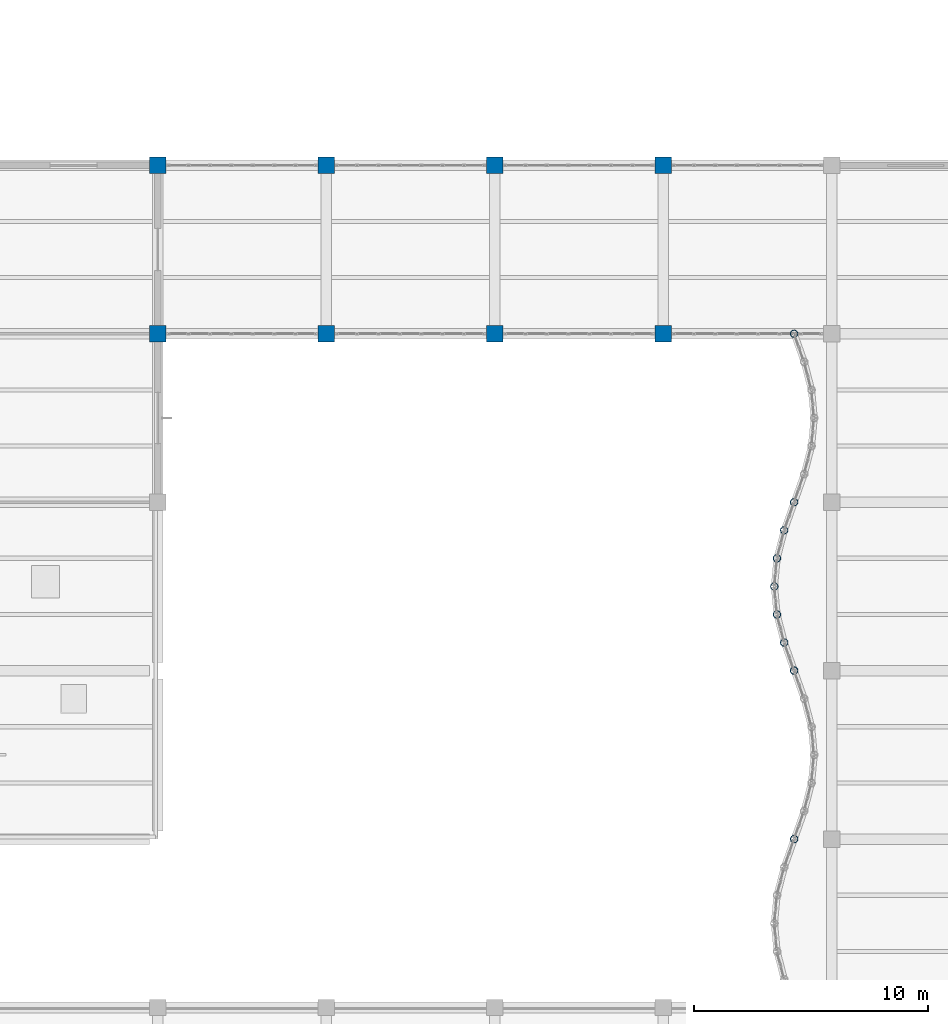
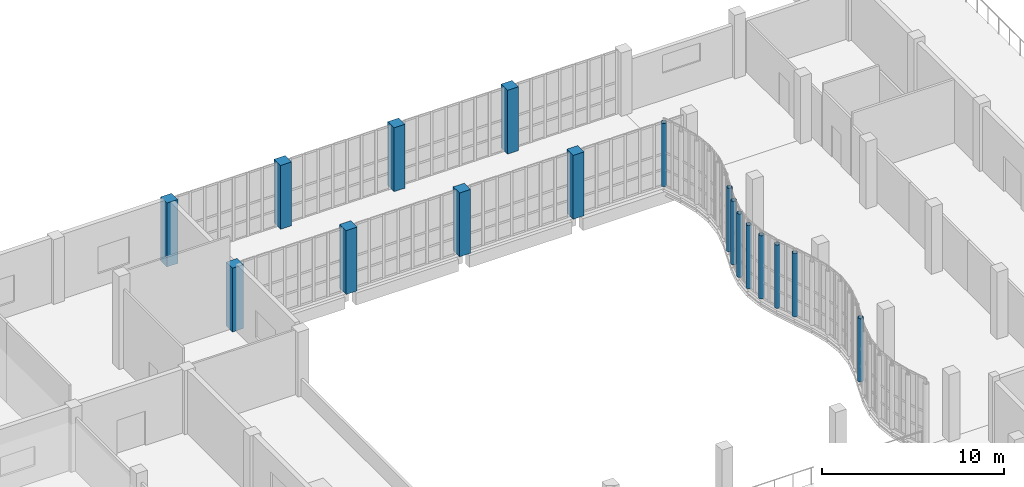
# One storey, part 4 of 108: 17 columns.
"""IFC4 building model written with IfcOpenShell, lengths in metres."""

import ifcopenshell
import ifcopenshell.guid

model = None  # the IFC model being written
_history = None  # IfcOwnerHistory: only IFC2X3 demands one
_inside = {}  # id of a spatial element -> (the spatial element, [elements in it])
_under = {}  # id of a project, library or spatial element -> (it, [spatial elements below it])
_declared = {}  # id of a project -> (the project, [libraries it declares])
_typed = {}  # id of a type object -> (the type object, [elements of that type])
_made_of = {}  # id of a material, layer set ... -> (it, [elements and type objects made of it])


def new_model(schema):
    """Start an empty IFC model of exactly this schema.

    Asked for "IFC4X3", IfcOpenShell would pick the latest addendum, in which some entities
    have other attributes; the version numbers below select the first issue.
    IFC2X3 requires an IfcOwnerHistory on every rooted entity: one is made here for all.
    """
    global model, _history
    if schema == "IFC4X3":
        model = ifcopenshell.file(schema_version=(4, 3, 0, 0))
    else:
        model = ifcopenshell.file(schema=schema)
    _inside.clear()
    _under.clear()
    _declared.clear()
    _typed.clear()
    _made_of.clear()
    _history = None
    if model.schema == "IFC2X3":
        org = make("IfcOrganization", Name="unknown")
        user = make(
            "IfcPersonAndOrganization",
            ThePerson=make("IfcPerson", FamilyName="unknown"),
            TheOrganization=org,
        )
        app = make(
            "IfcApplication",
            ApplicationDeveloper=org,
            Version="unknown",
            ApplicationFullName="unknown",
            ApplicationIdentifier="unknown",
        )
        _history = make(
            "IfcOwnerHistory",
            OwningUser=user,
            OwningApplication=app,
            ChangeAction="ADDED",
            CreationDate=0,
        )
    return model


def make(cls, **values):
    """One entity of the class cls with the attributes given. An attribute that is None is left unset."""
    return model.create_entity(
        cls, **{name: value for name, value in values.items() if value is not None}
    )


def rooted(cls, **values):
    """An entity with a GlobalId (a new one), such as an element, a storey or a relation."""
    return make(cls, GlobalId=ifcopenshell.guid.new(), OwnerHistory=_history, **values)


def si_unit(unit_type, name, prefix=None):
    """IfcSIUnit, for example si_unit("LENGTHUNIT", "METRE", prefix="MILLI")."""
    return make("IfcSIUnit", UnitType=unit_type, Prefix=prefix, Name=name)


def assignment(units):
    """IfcUnitAssignment: the units of a project."""
    return None if units is None else make("IfcUnitAssignment", Units=units)


def point(xyz):
    """IfcCartesianPoint."""
    return None if xyz is None else make("IfcCartesianPoint", Coordinates=xyz)


def direction(xyz):
    """IfcDirection."""
    return None if xyz is None else make("IfcDirection", DirectionRatios=xyz)


def frame(location, z_axis=None, x_axis=None):
    """IfcAxis2Placement3D, a coordinate frame: its origin and axes. An axis left out is left unset."""
    return make(
        "IfcAxis2Placement3D",
        Location=point(location),
        Axis=direction(z_axis),
        RefDirection=direction(x_axis),
    )


def frame_2d(location, x_axis=None):
    """IfcAxis2Placement2D, a coordinate frame in the plane: its origin and x axis."""
    return make(
        "IfcAxis2Placement2D", Location=point(location), RefDirection=direction(x_axis)
    )


def origin():
    """The frame at (0, 0, 0) with its axes left unset."""
    return frame((0.0, 0.0, 0.0))


def origin_2d():
    """The frame at (0, 0) in the plane with its x axis left unset."""
    return frame_2d((0.0, 0.0))


def place(relative_to, where):
    """IfcLocalPlacement: puts the frame where relative to a parent placement (None: the world)."""
    return make(
        "IfcLocalPlacement", PlacementRelTo=relative_to, RelativePlacement=where
    )


def context(
    kind, dimensions, precision=None, world=None, true_north=None, identifier=None
):
    """IfcGeometricRepresentationContext, for example the 3D "Model" context."""
    return make(
        "IfcGeometricRepresentationContext",
        ContextIdentifier=identifier,
        ContextType=kind,
        CoordinateSpaceDimension=dimensions,
        Precision=precision,
        WorldCoordinateSystem=world,
        TrueNorth=true_north,
    )


def subcontext(parent, identifier, kind, view, scale=None):
    """IfcGeometricRepresentationSubContext, for example "Body" below "Model"."""
    return make(
        "IfcGeometricRepresentationSubContext",
        ContextIdentifier=identifier,
        ContextType=kind,
        ParentContext=parent,
        TargetScale=scale,
        TargetView=view,
    )


def project(units=None, contexts=None):
    """IfcProject with its units and contexts."""
    return rooted(
        "IfcProject",
        Name="project",
        RepresentationContexts=contexts,
        UnitsInContext=assignment(units),
    )


def spatial(cls, under=None, at=None, **own):
    """A site, building, storey or space (cls), placed at a placement, below another one or the project."""
    s = rooted(cls, ObjectPlacement=at, **own)
    if under is not None:
        _under.setdefault(under.id(), (under, []))[1].append(s)
    return s


def profile(cls, at=None, kind="AREA", **sizes):
    """A parametric profile (cls). Its sizes go by their IFC names, for example OverallWidth=200.0."""
    return make(cls, ProfileType=kind, Position=at, **sizes)


def rectangle(**sizes):
    """IfcRectangleProfileDef."""
    return profile("IfcRectangleProfileDef", **sizes)


def hollow_circle(**sizes):
    """IfcCircleHollowProfileDef."""
    return profile("IfcCircleHollowProfileDef", **sizes)


def extrude(swept, where, along, depth):
    """IfcExtrudedAreaSolid: the profile swept, set in the frame where, extruded along a direction by depth."""
    return make(
        "IfcExtrudedAreaSolid",
        SweptArea=swept,
        Position=where,
        ExtrudedDirection=direction(along),
        Depth=depth,
    )


def shape(context_of_items, identifier, shape_type, items):
    """IfcShapeRepresentation: the items that make up one representation, for example the "Body"."""
    return make(
        "IfcShapeRepresentation",
        ContextOfItems=context_of_items,
        RepresentationIdentifier=identifier,
        RepresentationType=shape_type,
        Items=items,
    )


def material(Name=None, Category=None):
    """IfcMaterial."""
    return make("IfcMaterial", Name=Name, Category=Category)


def material_profile(
    of_material, cross_section, Name=None, Category=None, Priority=None
):
    """IfcMaterialProfile: a cross section and its material."""
    return make(
        "IfcMaterialProfile",
        Name=Name,
        Material=of_material,
        Profile=cross_section,
        Priority=Priority,
        Category=Category,
    )


def profile_set(profiles, Name=None, composite=None):
    """IfcMaterialProfileSet."""
    return make(
        "IfcMaterialProfileSet",
        Name=Name,
        MaterialProfiles=profiles,
        CompositeProfile=composite,
    )


def made_of(thing, what):
    """Note that an element or type object is made of a material, layer set ...; save() writes the relation."""
    if what is not None:
        _made_of.setdefault(what.id(), (what, []))[1].append(thing)
    return thing


def type_object(cls, material=None, **own):
    """A type object (cls), such as IfcWallType, which elements share."""
    return made_of(rooted(cls, **own), material)


def element(
    cls,
    number,
    at=None,
    inside=None,
    cuts=None,
    type_object=None,
    material=None,
    context=None,
    identifier="Body",
    shape_type=None,
    held_by="IfcProductDefinitionShape",
    body=None,
    shapes=None,
    **own,
):
    """One element of the class cls, such as IfcWall. Its Tag is "e" and its number.

    at: its placement. inside: the storey or other place that contains it. cuts: it is an
    opening in that element (IfcRelVoidsElement). A single representation is given by context,
    identifier, shape_type and body (its items); several are given by shapes. held_by: the class
    of the entity that holds the representations. save() writes the other relations.
    """
    e = rooted(cls, Tag="e%d" % number, ObjectPlacement=at, **own)
    if body is not None:
        shapes = [shape(context, identifier, shape_type, body)]
    if shapes is not None:
        e.Representation = make(held_by, Representations=shapes)
    if inside is not None:
        _inside.setdefault(inside.id(), (inside, []))[1].append(e)
    if cuts is not None:
        rooted(
            "IfcRelVoidsElement", RelatingBuildingElement=cuts, RelatedOpeningElement=e
        )
    if type_object is not None:
        _typed.setdefault(type_object.id(), (type_object, []))[1].append(e)
    return made_of(e, material)


def aggregate(whole, parts):
    """IfcRelAggregates: a whole, such as a stair, and the parts it consists of."""
    return rooted("IfcRelAggregates", RelatingObject=whole, RelatedObjects=parts)


def save(model, path):
    """Write the relations noted so far, then the file.

    IfcRelAggregates (storeys below a building ...), IfcRelContainedInSpatialStructure (elements
    in a storey), IfcRelDefinesByType, IfcRelAssociatesMaterial and IfcRelDeclares: one each for
    every whole, place, type object, material and project.
    """
    for whole, parts in _under.values():
        aggregate(whole, parts)
    for where, things in _inside.values():
        rooted(
            "IfcRelContainedInSpatialStructure",
            RelatedElements=things,
            RelatingStructure=where,
        )
    for kind, things in _typed.values():
        rooted("IfcRelDefinesByType", RelatedObjects=things, RelatingType=kind)
    for what, things in _made_of.values():
        rooted("IfcRelAssociatesMaterial", RelatedObjects=things, RelatingMaterial=what)
    for by, libraries in _declared.values():
        rooted("IfcRelDeclares", RelatingContext=by, RelatedDefinitions=libraries)
    model.write(path)


model = new_model("IFC4")

# Units and contexts
model_context = context("Model", 3, precision=1e-05, world=origin(), true_north=direction((0.0, 1.0)))
body_context = subcontext(model_context, "Body", "Model", "MODEL_VIEW")
ifc_project = project(units=[si_unit("LENGTHUNIT", "METRE"), si_unit("AREAUNIT", "SQUARE_METRE"), si_unit("VOLUMEUNIT", "CUBIC_METRE"), si_unit("PLANEANGLEUNIT", "RADIAN"), si_unit("MASSUNIT", "GRAM", prefix="KILO"), si_unit("THERMODYNAMICTEMPERATUREUNIT", "KELVIN"), si_unit("POWERUNIT", "WATT")], contexts=[model_context])

# Site, building, storey
site_placement = place(None, origin())
site = spatial("IfcSite", under=ifc_project, at=site_placement, CompositionType="ELEMENT")
building_placement = place(site_placement, origin())
building = spatial("IfcBuilding", under=site, at=building_placement, Name="Kaldorven Railside Theatre", CompositionType="ELEMENT")
storey_placement = place(building_placement, frame((0.0, 0.0, 5.39990234375)))
storey = spatial("IfcBuildingStorey", under=building, at=storey_placement, Name="L01", CompositionType="ELEMENT", Elevation=5.39990234375)

# Columns
ifc_material_1 = material(Name="Steel S355", Category="steel")
ifc_material_profile_1 = material_profile(ifc_material_1, hollow_circle(Radius=0.161865234375, WallThickness=0.01611328125, at=origin_2d()), Name="CHS 323.9x16")
ifc_profile_set_1 = profile_set([ifc_material_profile_1], Name="Steel S355")
column_type_1 = type_object("IfcColumnType", Name="COL-CHS324", PredefinedType="COLUMN", material=ifc_profile_set_1)
for number, where, z_axis, x_axis, name in (
    (1, (70.35009765625, 58.800048828125, 0.0), (0.0, 0.0, 1.0), (1.0, 0.0, 0.0), "L01 Courtyard Flute Mullion Column CFS-006"),
    (2, (70.4638671875, 57.60009765625, 0.0), (0.0, 0.0, 1.0), (1.0, 0.0, 0.0), "L01 Courtyard Flute Mullion Column CFS-015"),
    (3, (70.4638671875, 60.0, 0.0), (0.0, 0.0, 1.0), (1.0, 0.0, 0.0), "L01 Courtyard Flute Mullion Column CFS-018"),
    (4, (70.77490234375, 56.39990234375, 0.0), (0.0, 0.0, 1.0), (1.0, 0.0, 0.0), "L01 Courtyard Flute Mullion Column CFS-027"),
    (5, (70.77490234375, 61.199951171875, 0.0), (0.0, 0.0, 1.0), (1.0, 0.0, 0.0), "L01 Courtyard Flute Mullion Column CFS-030"),
    (6, (71.199951171875, 48.0, 0.0), (0.0, 0.0, 1.0), (1.0, 0.0, 0.0), "L01 Courtyard Flute Mullion Column CFS-036"),
    (7, (71.199951171875, 55.199951171875, 0.0), (0.0, 0.0, 1.0), (1.0, 0.0, 0.0), "L01 Courtyard Flute Mullion Column CFS-039"),
    (8, (71.199951171875, 62.39990234375, 0.0), (0.0, 0.0, 1.0), (1.0, 0.0, 0.0), "L01 Courtyard Flute Mullion Column CFS-042"),
    (9, (71.199951171875, 69.60009765625, 0.0), (0.0, 0.0, 1.0), (1.0, 0.0, 0.0), "L01 Courtyard Flute Mullion Column CFS-045"),
):
    element("IfcColumn", number, at=place(storey_placement, frame(where, z_axis=z_axis, x_axis=x_axis)), inside=storey, type_object=column_type_1, Name=name, PredefinedType="COLUMN", context=body_context, shape_type="SweptSolid", body=[
        extrude(hollow_circle(Radius=0.161865234375, WallThickness=0.01611328125, at=origin_2d()), origin(), (0.0, 0.0, 1.0), 4.25),
    ])
ifc_material_2 = material(Name="Concrete C40/50", Category="concrete")
ifc_material_profile_2 = material_profile(ifc_material_2, rectangle(XDim=0.699951171875, YDim=0.699951171875, at=origin_2d()), Name="RC 700x700")
ifc_profile_set_2 = profile_set([ifc_material_profile_2], Name="Concrete C40/50")
column_type_2 = type_object("IfcColumnType", Name="COL-RC700", PredefinedType="COLUMN", material=ifc_profile_set_2)
for number, where, z_axis, x_axis, name in (
    (10, (44.0, 69.60009765625, 0.0), (0.0, 0.0, 1.0), (0.0, 1.0, 0.0), "L01 Column CG-L01-044-069"),
    (11, (51.199951171875, 69.60009765625, 0.0), (0.0, 0.0, 1.0), (1.0, 0.0, 0.0), "L01 Column CG-L01-051-069"),
    (12, (58.39990234375, 69.60009765625, 0.0), (0.0, 0.0, 1.0), (1.0, 0.0, 0.0), "L01 Column CG-L01-058-069"),
    (13, (65.60009765625, 69.60009765625, 0.0), (0.0, 0.0, 1.0), (0.0, 1.0, 0.0), "L01 Column CG-L01-065-069"),
    (14, (44.0, 76.800048828125, 0.0), (0.0, 0.0, 1.0), (1.0, 0.0, 0.0), "L01 Column CG-L01-044-076"),
    (15, (51.199951171875, 76.800048828125, 0.0), (0.0, 0.0, 1.0), (1.0, 0.0, 0.0), "L01 Column CG-L01-051-076"),
    (16, (58.39990234375, 76.800048828125, 0.0), (0.0, 0.0, 1.0), (0.0, 1.0, 0.0), "L01 Column CG-L01-058-076"),
    (17, (65.60009765625, 76.800048828125, 0.0), (0.0, 0.0, 1.0), (1.0, 0.0, 0.0), "L01 Column CG-L01-065-076"),
):
    element("IfcColumn", number, at=place(storey_placement, frame(where, z_axis=z_axis, x_axis=x_axis)), inside=storey, type_object=column_type_2, Name=name, PredefinedType="COLUMN", context=body_context, shape_type="SweptSolid", body=[
        extrude(rectangle(XDim=0.699951171875, YDim=0.699951171875, at=origin_2d()), origin(), (0.0, 0.0, 1.0), 4.280029296875),
    ])

save(model, "model.ifc")
